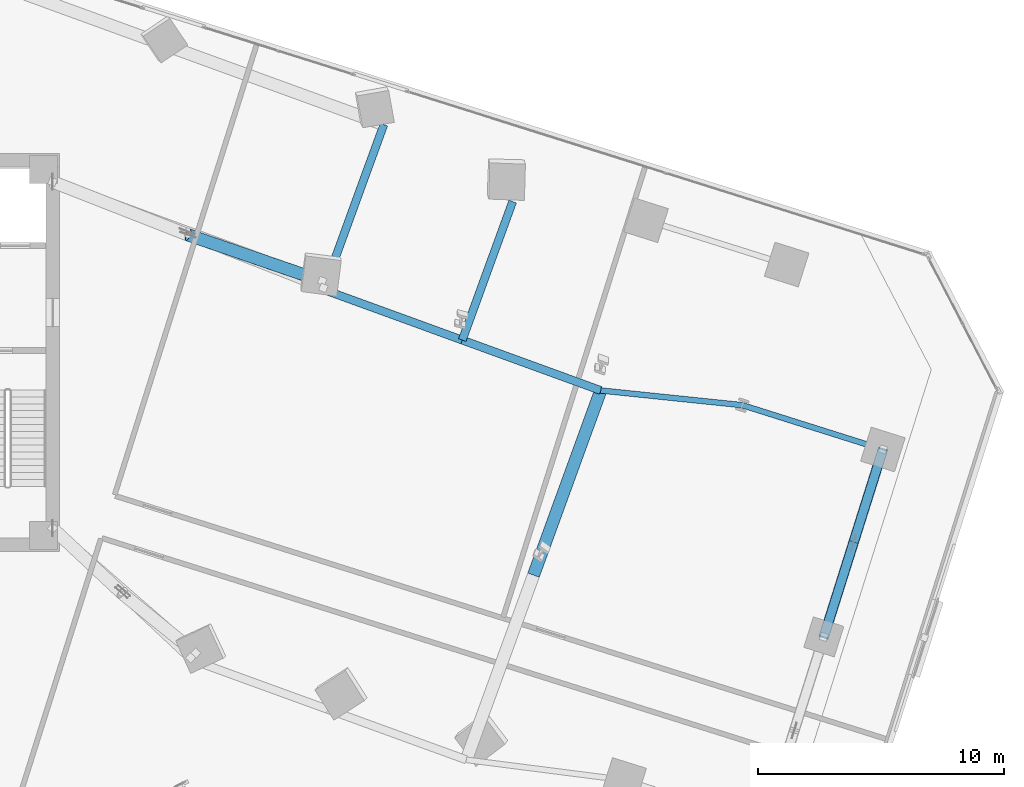
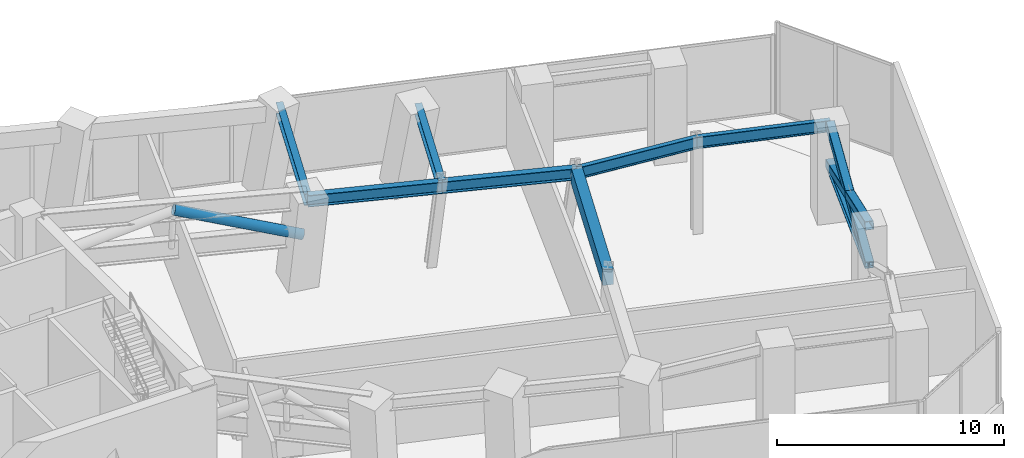
# One storey, part 11 of 29: 7 beams, 5 members.
"""IFC4 building model written with IfcOpenShell, lengths in metres."""

from ifc_helpers import new_model, si_unit, direction, frame, origin, origin_2d, place, context, subcontext, project, spatial, rectangle, hollow_rectangle, hollow_circle, i_section, extrude, source, transform, mapped, material, material_profile, profile_set, type_object, element, save


model = new_model("IFC4")

# Units and contexts
model_context = context("Model", 3, precision=1e-05, world=origin(), true_north=direction((0.0, 1.0)))
body_context = subcontext(model_context, "Body", "Model", "MODEL_VIEW")
ifc_project = project(units=[si_unit("LENGTHUNIT", "METRE"), si_unit("AREAUNIT", "SQUARE_METRE"), si_unit("VOLUMEUNIT", "CUBIC_METRE"), si_unit("PLANEANGLEUNIT", "RADIAN"), si_unit("MASSUNIT", "GRAM", prefix="KILO")], contexts=[model_context])

# Site, building, storey
site_placement = place(None, origin())
site = spatial("IfcSite", under=ifc_project, at=site_placement, CompositionType="ELEMENT")
building_placement = place(site_placement, origin())
building = spatial("IfcBuilding", under=site, at=building_placement, Name="Torre Montelarca", CompositionType="ELEMENT")
storey_placement = place(building_placement, frame((0.0, 0.0, 122.199951171875)))
storey = spatial("IfcBuildingStorey", under=building, at=storey_placement, Name="L27", CompositionType="ELEMENT", Elevation=122.199951171875)

# Beams
ifc_material_1 = material(Name="Steel ASTM A992 Grade 50", Category="steel")
ifc_material_profile_1 = material_profile(ifc_material_1, i_section(OverallWidth=0.22998046875, OverallDepth=0.616943359375, WebThickness=0.01318359375, FlangeThickness=0.022216796875, FilletRadius=0.014892578125, at=origin_2d()), Name="W610X140", Category="steel")
ifc_profile_set_1 = profile_set([ifc_material_profile_1], Name="Steel ASTM A992 Grade 50")
beam_type_1 = type_object("IfcBeamType", Name="BM-G-W610-EXT", PredefinedType="BEAM", material=ifc_profile_set_1)
shared_shape_1 = source(origin(), body_context, "Body", "SweptSolid", [
    extrude(i_section(OverallWidth=0.22998046875, OverallDepth=0.616943359375, WebThickness=0.01318359375, FlangeThickness=0.022216796875, FilletRadius=0.014892578125, at=origin_2d()), origin(), (0.0, 0.0, 1.0), 6.0),
])
beam_1_placement = place(storey_placement, frame((54.9013671875, 29.856689453125, 4.7919921875), z_axis=(0.953720315082, -0.300695128993, 0.0), x_axis=(0.300695128993, 0.953720315082, 0.0)))
element("IfcBeam", 1, at=beam_1_placement, inside=storey, type_object=beam_type_1, Name="L27 Setback Terrace Girder 54-60 Y=40m", PredefinedType="BEAM", context=body_context, shape_type="MappedRepresentation", body=[
    mapped(shared_shape_1, transform((0.0, 0.0, 0.0), scale=1.0)),
])
ifc_material_profile_2 = material_profile(ifc_material_1, i_section(OverallWidth=0.326904296875, OverallDepth=0.6220703125, WebThickness=0.015380859375, FlangeThickness=0.0244140625, FilletRadius=0.014892578125, at=origin_2d()), Name="W610X195", Category="steel")
ifc_profile_set_2 = profile_set([ifc_material_profile_2], Name="Steel ASTM A992 Grade 50")
beam_type_2 = type_object("IfcBeamType", Name="BM-G-W610H", PredefinedType="BEAM", material=ifc_profile_set_2)
shared_shape_2 = source(origin(), body_context, "Body", "SweptSolid", [
    extrude(i_section(OverallWidth=0.326904296875, OverallDepth=0.6220703125, WebThickness=0.015380859375, FlangeThickness=0.0244140625, FilletRadius=0.014892578125, at=origin_2d()), origin(), (0.0, 0.0, 1.0), 6.0),
])
for number, where, z_axis, x_axis, name in (
    (2, (37.86181640625, 34.55810546875, 4.80908203125), (0.939699533273, -0.342001150825, 0.0), (0.342001150825, 0.939699533273, 0.0), "L27 Grid Girder X 36.0-42.0 at Y=40.0"),
    (3, (43.5, 32.506103515625, 4.80908203125), (0.342001150825, 0.939699533273, 0.0), (-0.939699533273, 0.342001150825, 0.0), "L27 Grid Girder Y 40.0-46.0 at X=42.0"),
):
    element("IfcBeam", number, at=place(storey_placement, frame(where, z_axis=z_axis, x_axis=x_axis)), inside=storey, type_object=beam_type_2, Name=name, PredefinedType="BEAM", context=body_context, shape_type="MappedRepresentation", body=[
        mapped(shared_shape_2, transform((0.0, 0.0, 0.0), scale=1.0)),
    ])
ifc_material_2 = material(Name="Concrete C55/67", Category="concrete")
ifc_material_profile_3 = material_profile(ifc_material_2, rectangle(XDim=0.5, YDim=0.85009765625, at=origin_2d()), Name="RCB500X850", Category="concrete")
ifc_profile_set_3 = profile_set([ifc_material_profile_3], Name="Concrete C55/67")
beam_type_3 = type_object("IfcBeamType", Name="BM-SP-RC850-EXT", PredefinedType="SPANDREL", material=ifc_profile_set_3)
shared_shape_3 = source(origin(), body_context, "Body", "SweptSolid", [
    extrude(rectangle(XDim=0.5, YDim=0.85009765625, at=origin_2d()), origin(), (0.0, 0.0, 1.0), 8.0),
])
beam_2_placement = place(storey_placement, frame((46.40185546875, 22.9365234375, 4.695068359375), z_axis=(0.342010133499, 0.939696264005, 0.0), x_axis=(-0.939696264005, 0.342010133499, 0.0)))
element("IfcBeam", 4, at=beam_2_placement, inside=storey, type_object=beam_type_3, Name="L27 Grid Girder Y 32.0-40.0 at X=48.0", PredefinedType="SPANDREL", context=body_context, shape_type="MappedRepresentation", body=[
    mapped(shared_shape_3, transform((0.0, 0.0, 0.0), scale=1.0)),
])
shared_shape_4 = source(origin(), body_context, "Body", "SweptSolid", [
    extrude(i_section(OverallWidth=0.326904296875, OverallDepth=0.6220703125, WebThickness=0.015380859375, FlangeThickness=0.0244140625, FilletRadius=0.014892578125, at=origin_2d()), origin(), (0.0, 0.0, 1.0), 5.999755859375),
])
beam_3_placement = place(storey_placement, frame((43.5, 32.506103515625, 4.80908203125), z_axis=(0.939694773679, -0.342014228241, 0.0), x_axis=(0.342014228241, 0.939694773679, 0.0)))
element("IfcBeam", 5, at=beam_3_placement, inside=storey, type_object=beam_type_2, Name="L27 Grid Girder X 42.0-48.0 at Y=40.0", PredefinedType="BEAM", context=body_context, shape_type="MappedRepresentation", body=[
    mapped(shared_shape_4, transform((0.0, 0.0, 0.0), scale=1.0)),
])
shared_shape_5 = source(origin(), body_context, "Body", "SweptSolid", [
    extrude(i_section(OverallWidth=0.326904296875, OverallDepth=0.6220703125, WebThickness=0.015380859375, FlangeThickness=0.0244140625, FilletRadius=0.014892578125, at=origin_2d()), origin(), (0.0, 0.0, 1.0), 7.150146484375),
])
beam_4_placement = place(storey_placement, frame((37.86181640625, 34.55810546875, 4.80908203125), z_axis=(0.341995274387, 0.939701671967, 0.0), x_axis=(-0.939701671967, 0.341995274387, 0.0)))
element("IfcBeam", 6, at=beam_4_placement, inside=storey, type_object=beam_type_2, Name="L27 Grid Girder Y 40.0-47.1 at X=36.0", PredefinedType="BEAM", context=body_context, shape_type="MappedRepresentation", body=[
    mapped(shared_shape_5, transform((0.0, 0.0, 0.0), scale=1.0)),
])
shared_shape_6 = source(origin(), body_context, "Body", "SweptSolid", [
    extrude(i_section(OverallWidth=0.22998046875, OverallDepth=0.616943359375, WebThickness=0.01318359375, FlangeThickness=0.022216796875, FilletRadius=0.014892578125, at=origin_2d()), origin(), (0.0, 0.0, 1.0), 5.794189453125),
])
beam_5_placement = place(storey_placement, frame((49.137939453125, 30.4541015625, 4.7919921875), z_axis=(0.994670656029, -0.10310327849, 0.0), x_axis=(0.10310327849, 0.994670656029, 0.0)))
element("IfcBeam", 7, at=beam_5_placement, inside=storey, type_object=beam_type_1, Name="L27 Setback Terrace Girder 48-54 Y=40m", PredefinedType="BEAM", context=body_context, shape_type="MappedRepresentation", body=[
    mapped(shared_shape_6, transform((0.0, 0.0, 0.0), scale=1.0)),
])

# Members
ifc_material_3 = material(Name="Steel ASTM A500 Grade C", Category="steel")
ifc_material_profile_4 = material_profile(ifc_material_3, hollow_circle(Radius=0.25390625, WallThickness=0.015869140625, at=origin_2d()), Name="HSS508.0X15.9", Category="steel")
ifc_profile_set_4 = profile_set([ifc_material_profile_4], Name="Steel ASTM A500 Grade C")
member_type_1 = type_object("IfcMemberType", Name="MB-BR-CHS508", PredefinedType="BRACE", material=ifc_profile_set_4)
shared_shape_7 = source(origin(), body_context, "Body", "SweptSolid", [
    extrude(hollow_circle(Radius=0.25390625, WallThickness=0.015869140625, at=origin_2d()), origin(), (0.0, 0.0, 1.0), 6.14990234375),
])
member_1_placement = place(storey_placement, frame((37.79931640625, 34.9072265625, 2.75), z_axis=(-0.888612101256, 0.306194832782, 0.341486834123), x_axis=(-0.325778499691, -0.945446121754, 0.0)))
element("IfcMember", 8, at=member_1_placement, inside=storey, type_object=member_type_1, Name="L27 Outrigger Truss Diagonal 2B", PredefinedType="BRACE", context=body_context, shape_type="MappedRepresentation", body=[
    mapped(shared_shape_7, transform((0.0, 0.0, 0.0), scale=1.0)),
])
ifc_material_profile_5 = material_profile(ifc_material_1, i_section(OverallWidth=0.39501953125, OverallDepth=0.3798828125, WebThickness=0.018798828125, FlangeThickness=0.0302734375, FilletRadius=0.014892578125, at=origin_2d()), Name="W360X237", Category="steel")
ifc_profile_set_5 = profile_set([ifc_material_profile_5], Name="Steel ASTM A992 Grade 50")
member_type_2 = type_object("IfcMemberType", Name="MB-CH-W360X237", PredefinedType="CHORD", material=ifc_profile_set_5)
shared_shape_8 = source(origin(), body_context, "Body", "SweptSolid", [
    extrude(i_section(OverallWidth=0.39501953125, OverallDepth=0.3798828125, WebThickness=0.018798828125, FlangeThickness=0.0302734375, FilletRadius=0.014892578125, at=origin_2d()), origin(), (0.0, 0.0, 1.0), 8.0),
])
member_2_placement = place(storey_placement, frame((58.218017578125, 20.4228515625, 2.75), z_axis=(0.300722386371, 0.953711720771, 0.0), x_axis=(-0.953711720771, 0.300722386371, 0.0)))
element("IfcMember", 9, at=member_2_placement, inside=storey, type_object=member_type_2, Name="L27 Perimeter Belt-Truss Bottom Chord 3", PredefinedType="CHORD", context=body_context, shape_type="MappedRepresentation", body=[
    mapped(shared_shape_8, transform((0.0, 0.0, 0.0), scale=1.0)),
])
ifc_material_profile_6 = material_profile(ifc_material_3, hollow_rectangle(XDim=0.406494140625, YDim=0.406494140625, WallThickness=0.015869140625, InnerFilletRadius=0.015869140625, OuterFilletRadius=0.03173828125, at=origin_2d()), Name="HSS406X406X15.9", Category="steel")
ifc_profile_set_6 = profile_set([ifc_material_profile_6], Name="Steel ASTM A500 Grade C")
member_type_3 = type_object("IfcMemberType", Name="MB-BR-HSS406-EXT", PredefinedType="BRACE", material=ifc_profile_set_6)
shared_shape_9 = source(origin(), body_context, "Body", "SweptSolid", [
    extrude(hollow_rectangle(XDim=0.406494140625, YDim=0.406494140625, WallThickness=0.015869140625, InnerFilletRadius=0.015869140625, OuterFilletRadius=0.03173828125, at=origin_2d()), origin(), (0.0, 0.0, 1.0), 8.27099609375),
])
member_3_placement = place(storey_placement, frame((58.218017578125, 20.4228515625, 2.75), z_axis=(0.290866996695, 0.922456313548, 0.253910889544), x_axis=(-0.953711720771, 0.300722386371, 0.0)))
element("IfcMember", 10, at=member_3_placement, inside=storey, type_object=member_type_3, Name="L27 Perimeter Belt-Truss Continuous X-Brace 3A", PredefinedType="BRACE", context=body_context, shape_type="MappedRepresentation", body=[
    mapped(shared_shape_9, transform((0.0, 0.0, 0.0), scale=1.0)),
])
shared_shape_10 = source(origin(), body_context, "Body", "SweptSolid", [
    extrude(hollow_rectangle(XDim=0.406494140625, YDim=0.406494140625, WallThickness=0.015869140625, InnerFilletRadius=0.015869140625, OuterFilletRadius=0.03173828125, at=origin_2d()), origin(), (0.0, 0.0, 1.0), 4.135498046875),
])
for number, where, z_axis, x_axis, name in (
    (11, (60.623779296875, 28.052490234375, 2.75), (-0.290874916836, -0.922451913043, 0.253917803392), (0.953708960805, -0.300731139193, 0.0), "L27 Perimeter Belt-Truss Split X-Brace Lower 3B1"),
    (12, (59.4208984375, 24.23779296875, 3.800048828125), (-0.290859076947, -0.922460713694, 0.25390397604), (0.953714480495, -0.300713634033, 0.0), "L27 Perimeter Belt-Truss Split X-Brace Upper 3B2"),
):
    element("IfcMember", number, at=place(storey_placement, frame(where, z_axis=z_axis, x_axis=x_axis)), inside=storey, type_object=member_type_3, Name=name, PredefinedType="BRACE", context=body_context, shape_type="MappedRepresentation", body=[
        mapped(shared_shape_10, transform((0.0, 0.0, 0.0), scale=1.0)),
    ])

save(model, "model.ifc")
